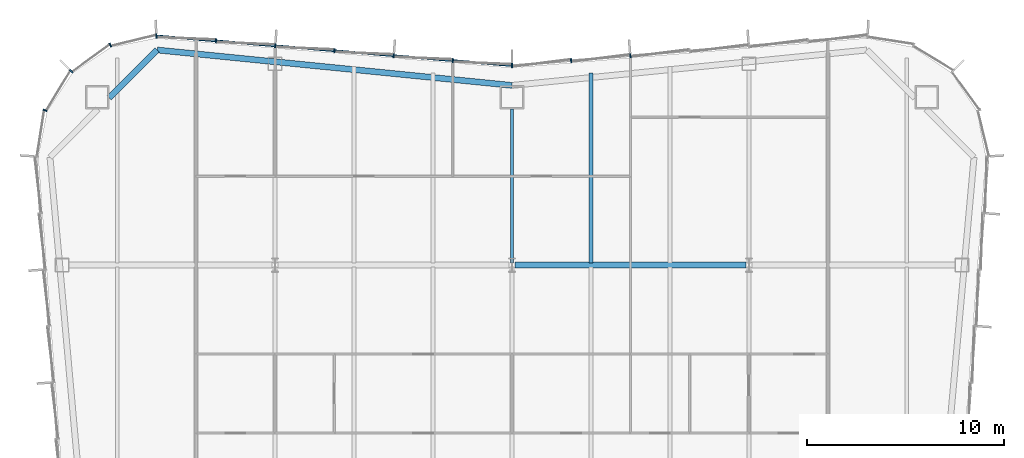
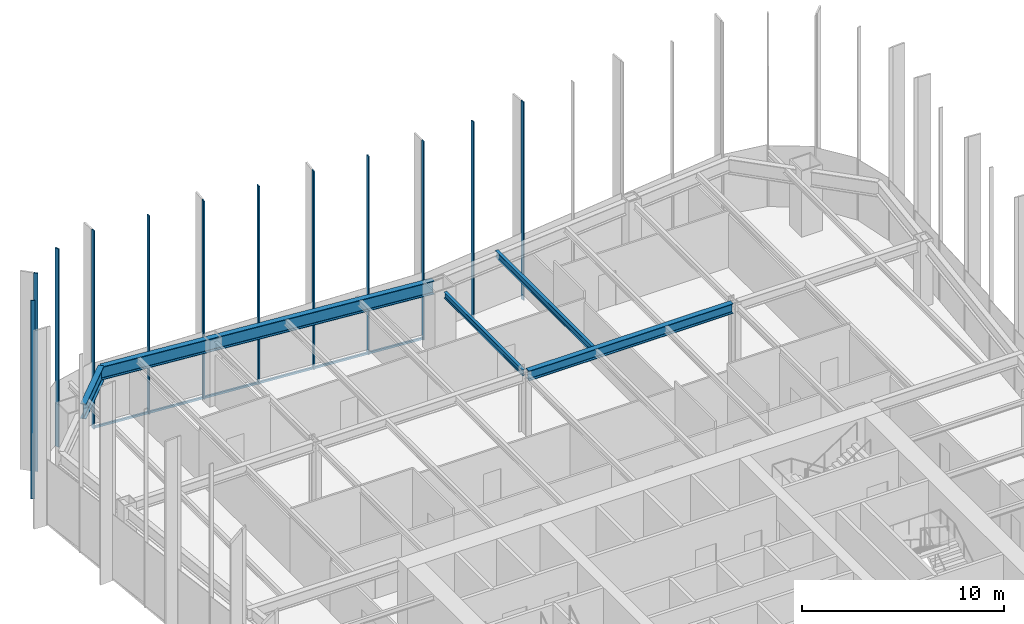
# One storey, part 6 of 13: 13 members, 5 beams, 2 elements without a shape of their own.
"""IFC4 building model written with IfcOpenShell, lengths in metres."""

from ifc_helpers import new_model, si_unit, direction, frame, origin, origin_2d, place, context, subcontext, project, spatial, rectangle, i_section, extrude, material, material_profile, profile_set, type_object, element, aggregate, save


model = new_model("IFC4")

# Units and contexts
model_context = context("Model", 3, precision=1e-05, world=origin(), true_north=direction((0.0, 1.0)))
body_context = subcontext(model_context, "Body", "Model", "MODEL_VIEW")
ifc_project = project(units=[si_unit("LENGTHUNIT", "METRE"), si_unit("AREAUNIT", "SQUARE_METRE"), si_unit("VOLUMEUNIT", "CUBIC_METRE"), si_unit("PLANEANGLEUNIT", "RADIAN"), si_unit("MASSUNIT", "GRAM", prefix="KILO")], contexts=[model_context])

# Site, building, storey
site_placement = place(None, origin())
site = spatial("IfcSite", under=ifc_project, at=site_placement, CompositionType="ELEMENT")
building_placement = place(site_placement, origin())
building = spatial("IfcBuilding", under=site, at=building_placement, Name="Verdant Reach Tower", CompositionType="ELEMENT")
storey_placement = place(building_placement, frame((0.0, 0.0, 138.0)))
storey = spatial("IfcBuildingStorey", under=building, at=storey_placement, Name="L31", CompositionType="ELEMENT", Elevation=138.0)

# Curtain wall, members
ifc_material_1 = material(Name="Anodised aluminium", Category="aluminium")
curtain_wall_type = type_object("IfcCurtainWallType", Name="EN-CW SYSTEM Z2", PredefinedType="NOTDEFINED", material=ifc_material_1)
curtain_wall_1_placement = place(storey_placement, origin())
curtain_wall_1 = element("IfcCurtainWall", 1, at=curtain_wall_1_placement, inside=storey, type_object=curtain_wall_type, Name="Curtain wall north, L31", PredefinedType="NOTDEFINED")
ifc_material_profile_1 = material_profile(ifc_material_1, rectangle(XDim=0.2119140625, YDim=0.06396484375, at=origin_2d()), Name="Mullion 64x212")
ifc_profile_set_1 = profile_set([ifc_material_profile_1], Name="Anodised aluminium")
member_type_1 = type_object("IfcMemberType", Name="EN-MULLION Z2", PredefinedType="MULLION", material=ifc_profile_set_1)
member_1_placement = place(storey_placement, frame((5.9912109375, 60.105712890625, -0.35009765625), z_axis=(0.0, 0.0, 1.0), x_axis=(-0.083045479859, 0.996545758244, 0.0)))
member_1 = element("IfcMember", 2, at=member_1_placement, type_object=member_type_1, Name="Mullion north face part 1 5, L31", PredefinedType="MULLION", context=body_context, shape_type="SweptSolid", body=[
    extrude(rectangle(XDim=0.2119140625, YDim=0.06396484375, at=origin_2d()), origin(), (0.0, 0.0, 1.0), 12.0),
])
member_2_placement = place(storey_placement, frame((2.9912109375, 59.855712890625, -0.35009765625), z_axis=(0.0, 0.0, 1.0), x_axis=(-0.083045479859, 0.996545758244, 0.0)))
member_2 = element("IfcMember", 3, at=member_2_placement, type_object=member_type_1, Name="Mullion north face part 1 6, L31", PredefinedType="MULLION", context=body_context, shape_type="SweptSolid", body=[
    extrude(rectangle(XDim=0.2119140625, YDim=0.06396484375, at=origin_2d()), origin(), (0.0, 0.0, 1.0), 12.0),
])
member_3_placement = place(storey_placement, frame((0.0, 59.60595703125, -0.35009765625), z_axis=(0.0, 0.0, 1.0), x_axis=(0.0, 1.0, 0.0)))
member_3 = element("IfcMember", 4, at=member_3_placement, type_object=member_type_1, Name="Mullion north face part 2 1, L31", PredefinedType="MULLION", context=body_context, shape_type="SweptSolid", body=[
    extrude(rectangle(XDim=0.2119140625, YDim=0.06396484375, at=origin_2d()), origin(), (0.0, 0.0, 1.0), 12.0),
])
member_4_placement = place(storey_placement, frame((-2.9912109375, 59.855712890625, -0.35009765625), z_axis=(0.0, 0.0, 1.0), x_axis=(0.083045479859, 0.996545758244, 0.0)))
member_4 = element("IfcMember", 5, at=member_4_placement, type_object=member_type_1, Name="Mullion north face part 2 2, L31", PredefinedType="MULLION", context=body_context, shape_type="SweptSolid", body=[
    extrude(rectangle(XDim=0.2119140625, YDim=0.06396484375, at=origin_2d()), origin(), (0.0, 0.0, 1.0), 12.0),
])
member_5_placement = place(storey_placement, frame((-5.9912109375, 60.105712890625, -0.35009765625), z_axis=(0.0, 0.0, 1.0), x_axis=(0.083045479859, 0.996545758244, 0.0)))
member_5 = element("IfcMember", 6, at=member_5_placement, type_object=member_type_1, Name="Mullion north face part 2 3, L31", PredefinedType="MULLION", context=body_context, shape_type="SweptSolid", body=[
    extrude(rectangle(XDim=0.2119140625, YDim=0.06396484375, at=origin_2d()), origin(), (0.0, 0.0, 1.0), 12.0),
])
member_6_placement = place(storey_placement, frame((-8.9912109375, 60.355712890625, -0.35009765625), z_axis=(0.0, 0.0, 1.0), x_axis=(0.083045479859, 0.996545758244, 0.0)))
member_6 = element("IfcMember", 7, at=member_6_placement, type_object=member_type_1, Name="Mullion north face part 2 4, L31", PredefinedType="MULLION", context=body_context, shape_type="SweptSolid", body=[
    extrude(rectangle(XDim=0.2119140625, YDim=0.06396484375, at=origin_2d()), origin(), (0.0, 0.0, 1.0), 12.0),
])
member_7_placement = place(storey_placement, frame((-11.9912109375, 60.605712890625, -0.35009765625), z_axis=(0.0, 0.0, 1.0), x_axis=(0.083045479859, 0.996545758244, 0.0)))
member_7 = element("IfcMember", 8, at=member_7_placement, type_object=member_type_1, Name="Mullion north face part 2 5, L31", PredefinedType="MULLION", context=body_context, shape_type="SweptSolid", body=[
    extrude(rectangle(XDim=0.2119140625, YDim=0.06396484375, at=origin_2d()), origin(), (0.0, 0.0, 1.0), 12.0),
])
member_8_placement = place(storey_placement, frame((-14.9912109375, 60.855712890625, -0.35009765625), z_axis=(0.0, 0.0, 1.0), x_axis=(0.083045479859, 0.996545758244, 0.0)))
member_8 = element("IfcMember", 9, at=member_8_placement, type_object=member_type_1, Name="Mullion north face part 2 6, L31", PredefinedType="MULLION", context=body_context, shape_type="SweptSolid", body=[
    extrude(rectangle(XDim=0.2119140625, YDim=0.06396484375, at=origin_2d()), origin(), (0.0, 0.0, 1.0), 12.0),
])

curtain_wall_2_placement = place(storey_placement, origin())
curtain_wall_2 = element("IfcCurtainWall", 10, at=curtain_wall_2_placement, inside=storey, type_object=curtain_wall_type, Name="Curtain wall north-west corner, L31", PredefinedType="NOTDEFINED")
member_9_placement = place(storey_placement, frame((-18.006103515625, 61.105712890625, -0.35009765625), z_axis=(0.0, 0.0, 1.0), x_axis=(-0.056569187765, 0.998398681387, 0.0)))
member_9 = element("IfcMember", 11, at=member_9_placement, type_object=member_type_1, Name="Mullion north-west corner 1, L31", PredefinedType="MULLION", context=body_context, shape_type="SweptSolid", body=[
    extrude(rectangle(XDim=0.2119140625, YDim=0.06396484375, at=origin_2d()), origin(), (0.0, 0.0, 1.0), 12.0),
])
member_10_placement = place(storey_placement, frame((-20.336669921875, 60.64111328125, -0.35009765625), z_axis=(0.0, 0.0, 1.0), x_axis=(-0.382693853776, 0.923875215753, 0.0)))
member_10 = element("IfcMember", 12, at=member_10_placement, type_object=member_type_1, Name="Mullion north-west corner 2, L31", PredefinedType="MULLION", context=body_context, shape_type="SweptSolid", body=[
    extrude(rectangle(XDim=0.2119140625, YDim=0.06396484375, at=origin_2d()), origin(), (0.0, 0.0, 1.0), 12.0),
])
member_11_placement = place(storey_placement, frame((-22.317626953125, 59.317626953125, -0.35009765625), z_axis=(0.0, 0.0, 1.0), x_axis=(-0.707106781187, 0.707106781187, 0.0)))
member_11 = element("IfcMember", 13, at=member_11_placement, type_object=member_type_1, Name="Mullion north-west corner 3, L31", PredefinedType="MULLION", context=body_context, shape_type="SweptSolid", body=[
    extrude(rectangle(XDim=0.2119140625, YDim=0.06396484375, at=origin_2d()), origin(), (0.0, 0.0, 1.0), 12.0),
])
member_12_placement = place(storey_placement, frame((-23.64111328125, 57.336669921875, -0.35009765625), z_axis=(0.0, 0.0, 1.0), x_axis=(-0.923875215753, 0.382693853776, 0.0)))
member_12 = element("IfcMember", 14, at=member_12_placement, type_object=member_type_1, Name="Mullion north-west corner 4, L31", PredefinedType="MULLION", context=body_context, shape_type="SweptSolid", body=[
    extrude(rectangle(XDim=0.2119140625, YDim=0.06396484375, at=origin_2d()), origin(), (0.0, 0.0, 1.0), 12.0),
])
aggregate(curtain_wall_2, [member_9, member_10, member_11, member_12])

# Member
ifc_material_profile_2 = material_profile(ifc_material_1, rectangle(XDim=0.10009765625, YDim=0.1240234375, at=origin_2d()), Name="Transom 124x100")
ifc_profile_set_2 = profile_set([ifc_material_profile_2], Name="Anodised aluminium")
member_type_2 = type_object("IfcMemberType", Name="EN-TRANSOM Z2", PredefinedType="USERDEFINED", material=ifc_profile_set_2)
member_13_placement = place(storey_placement, frame((-0.031982421875, 59.608642578125, -0.2880859375), z_axis=(-0.996548282776, 0.083015179915, 0.0), x_axis=(-0.083015179915, -0.996548282776, 0.0)))
member_13 = element("IfcMember", 15, at=member_13_placement, type_object=member_type_2, Name="Transom north face part 2 1.1, L31", ObjectType="TRANSOM", PredefinedType="USERDEFINED", context=body_context, shape_type="SweptSolid", body=[
    extrude(rectangle(XDim=0.10009765625, YDim=0.1240234375, at=origin_2d()), origin(), (0.0, 0.0, 1.0), 18.00439453125),
])

aggregate(curtain_wall_1, [member_1, member_2, member_3, member_4, member_5, member_6, member_7, member_8, member_13])

# Beams
ifc_material_2 = material(Name="Steel S355", Category="steel")
ifc_material_profile_3 = material_profile(ifc_material_2, i_section(OverallWidth=0.300048828125, OverallDepth=0.60009765625, WebThickness=0.015380859375, FlangeThickness=0.030029296875, FilletRadius=0.027099609375, at=origin_2d()), Name="HEB 600")
ifc_profile_set_3 = profile_set([ifc_material_profile_3], Name="Steel S355")
beam_type_1 = type_object("IfcBeamType", Name="ST-BEAM-HEB600", PredefinedType="BEAM", material=ifc_profile_set_3)
beam_1_placement = place(storey_placement, frame((0.154052734375, 49.5, 3.570068359375), z_axis=(1.0, 0.0, 0.0), x_axis=(0.0, 1.0, 0.0)))
element("IfcBeam", 16, at=beam_1_placement, inside=storey, type_object=beam_type_1, Name="Row girder, L31", PredefinedType="BEAM", context=body_context, shape_type="SweptSolid", body=[
    extrude(i_section(OverallWidth=0.300048828125, OverallDepth=0.60009765625, WebThickness=0.015380859375, FlangeThickness=0.030029296875, FilletRadius=0.027099609375, at=origin_2d()), origin(), (0.0, 0.0, 1.0), 11.69189453125),
])
ifc_material_profile_4 = material_profile(ifc_material_2, i_section(OverallWidth=0.169921875, OverallDepth=0.360107421875, WebThickness=0.008056640625, FlangeThickness=0.0126953125, FilletRadius=0.01806640625, at=origin_2d()), Name="IPE 360")
ifc_profile_set_4 = profile_set([ifc_material_profile_4], Name="Steel S355")
beam_type_2 = type_object("IfcBeamType", Name="ST-JOIST-IPE360", PredefinedType="JOIST", material=ifc_profile_set_4)
beam_2_placement = place(storey_placement, frame((0.0, 49.60009765625, 3.68994140625), z_axis=(0.0, 1.0, 0.0), x_axis=(-1.0, 0.0, 0.0)))
element("IfcBeam", 17, at=beam_2_placement, inside=storey, type_object=beam_type_2, Name="Floor joist, L31", PredefinedType="JOIST", context=body_context, shape_type="SweptSolid", body=[
    extrude(i_section(OverallWidth=0.169921875, OverallDepth=0.360107421875, WebThickness=0.008056640625, FlangeThickness=0.0126953125, FilletRadius=0.01806640625, at=origin_2d()), origin(), (0.0, 0.0, 1.0), 7.7998046875),
])
ifc_material_profile_5 = material_profile(ifc_material_2, i_section(OverallWidth=0.179931640625, OverallDepth=0.39990234375, WebThickness=0.008544921875, FlangeThickness=0.013427734375, FilletRadius=0.02099609375, at=origin_2d()), Name="IPE 400")
ifc_profile_set_5 = profile_set([ifc_material_profile_5], Name="Steel S355")
beam_type_3 = type_object("IfcBeamType", Name="ST-JOIST-IPE400", PredefinedType="JOIST", material=ifc_profile_set_5)
beam_3_placement = place(storey_placement, frame((4.0, 49.60009765625, 3.669921875), z_axis=(0.0, 1.0, 0.0), x_axis=(-1.0, 0.0, 0.0)))
element("IfcBeam", 18, at=beam_3_placement, inside=storey, type_object=beam_type_3, Name="Floor joist, L31", PredefinedType="JOIST", context=body_context, shape_type="SweptSolid", body=[
    extrude(i_section(OverallWidth=0.179931640625, OverallDepth=0.39990234375, WebThickness=0.008544921875, FlangeThickness=0.013427734375, FilletRadius=0.02099609375, at=origin_2d()), origin(), (0.0, 0.0, 1.0), 9.631103515625),
])
ifc_material_profile_6 = material_profile(ifc_material_2, i_section(OverallWidth=0.300048828125, OverallDepth=0.800048828125, WebThickness=0.017578125, FlangeThickness=0.032958984375, FilletRadius=0.030029296875, at=origin_2d()), Name="HEB 800")
ifc_profile_set_6 = profile_set([ifc_material_profile_6], Name="Steel S355")
beam_type_4 = type_object("IfcBeamType", Name="ST-SPANDREL-HEB800", PredefinedType="SPANDREL", material=ifc_profile_set_6)
beam_4_placement = place(storey_placement, frame((-17.9658203125, 60.39501953125, 3.469970703125), z_axis=(0.995046289869, -0.099412680371, 0.0), x_axis=(0.099412680371, 0.995046289869, 0.0)))
element("IfcBeam", 19, at=beam_4_placement, inside=storey, type_object=beam_type_4, Name="Edge beam, L31", PredefinedType="SPANDREL", context=body_context, shape_type="SweptSolid", body=[
    extrude(i_section(OverallWidth=0.300048828125, OverallDepth=0.800048828125, WebThickness=0.017578125, FlangeThickness=0.032958984375, FilletRadius=0.030029296875, at=origin_2d()), origin(), (0.0, 0.0, 1.0), 18.05517578125),
])
ifc_material_profile_7 = material_profile(ifc_material_2, i_section(OverallWidth=0.302001953125, OverallDepth=0.909912109375, WebThickness=0.02099609375, FlangeThickness=0.0400390625, FilletRadius=0.030029296875, at=origin_2d()), Name="HEM 900")
ifc_profile_set_7 = profile_set([ifc_material_profile_7], Name="Steel S355")
beam_type_5 = type_object("IfcBeamType", Name="ST-SPANDREL-HEM900", PredefinedType="SPANDREL", material=ifc_profile_set_7)
beam_5_placement = place(storey_placement, frame((-20.39990234375, 57.9599609375, 3.4150390625), z_axis=(0.70696494852, 0.70724858541, 0.0), x_axis=(-0.70724858541, 0.70696494852, 0.0)))
element("IfcBeam", 20, at=beam_5_placement, inside=storey, type_object=beam_type_5, Name="Edge beam, L31", PredefinedType="SPANDREL", context=body_context, shape_type="SweptSolid", body=[
    extrude(i_section(OverallWidth=0.302001953125, OverallDepth=0.909912109375, WebThickness=0.02099609375, FlangeThickness=0.0400390625, FilletRadius=0.030029296875, at=origin_2d()), origin(), (0.0, 0.0, 1.0), 3.443115234375),
])

save(model, "model.ifc")
